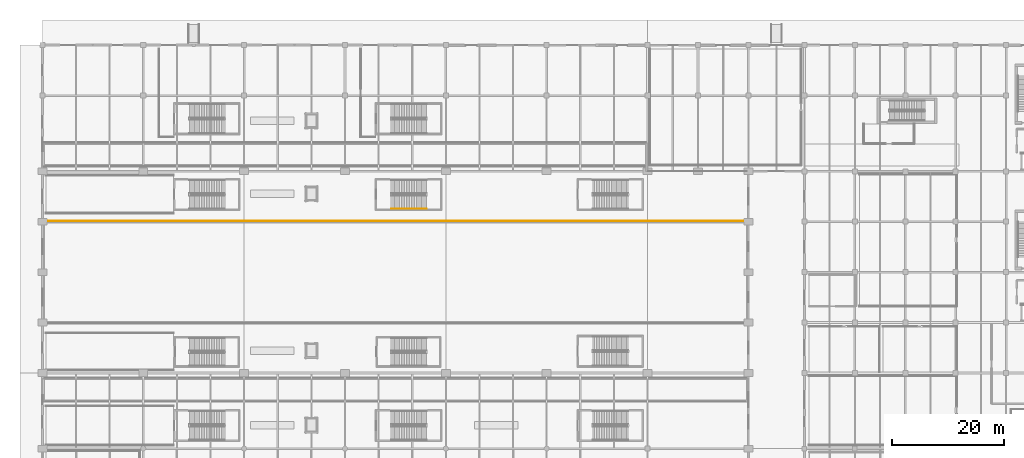
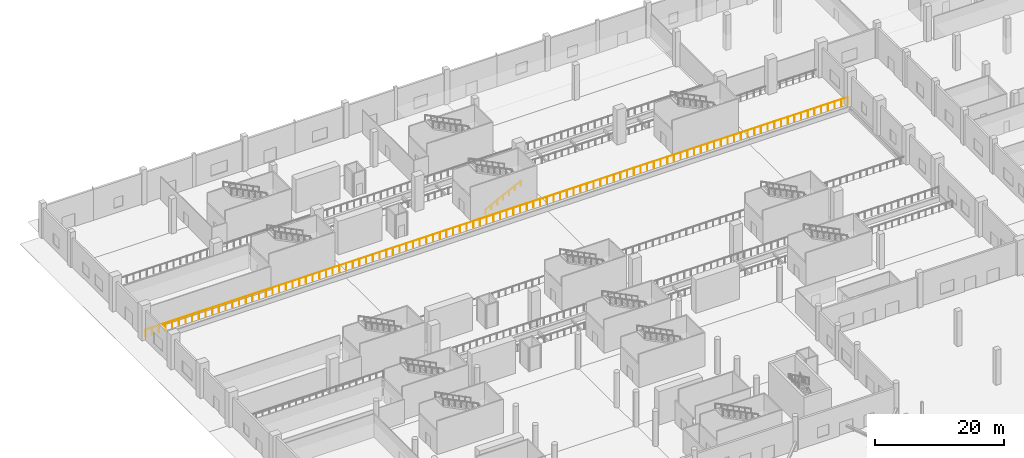
# One storey, part 52 of 65: 2 railings.
"""IFC4 building model written with IfcOpenShell, lengths in metres."""

from ifc_helpers import new_model, si_unit, direction, frame, origin, origin_2d, place, context, subcontext, project, spatial, circle, extrude, material, type_object, element, save


model = new_model("IFC4")

# Units and contexts
model_context = context("Model", 3, precision=1e-05, world=origin(), true_north=direction((0.0, 1.0)))
body_context = subcontext(model_context, "Body", "Model", "MODEL_VIEW")
ifc_project = project(units=[si_unit("LENGTHUNIT", "METRE"), si_unit("AREAUNIT", "SQUARE_METRE"), si_unit("VOLUMEUNIT", "CUBIC_METRE"), si_unit("PLANEANGLEUNIT", "RADIAN"), si_unit("MASSUNIT", "GRAM", prefix="KILO")], contexts=[model_context])

# Site, building, storey
site_placement = place(None, origin())
site = spatial("IfcSite", under=ifc_project, at=site_placement, CompositionType="ELEMENT")
building_placement = place(site_placement, origin())
building = spatial("IfcBuilding", under=site, at=building_placement, Name="Chuanluo Vaults Station", CompositionType="ELEMENT")
storey_placement = place(building_placement, origin())
storey = spatial("IfcBuildingStorey", under=building, at=storey_placement, Name="L00", CompositionType="ELEMENT", Elevation=0.0)

# Railings
ifc_material_1 = material(Name="Brushed stainless steel 304", Category="steel")
railing_type_1 = type_object("IfcRailingType", Name="RLG-HAND-900", PredefinedType="HANDRAIL", material=ifc_material_1)
railing_1_placement = place(storey_placement, frame((62.25, 96.800048828125, 0.14990234375)))
element("IfcRailing", 1, at=railing_1_placement, inside=storey, type_object=railing_type_1, Name="L00 ST-14 stair handrail 1", PredefinedType="HANDRAIL", context=body_context, shape_type="SweptSolid", body=[
    extrude(circle(Radius=0.02392578125, at=origin_2d()), frame((0.0, 0.0, 0.8759765625), z_axis=(0.894420258746, 0.0, 0.44722745974), x_axis=(0.0, 1.0, 0.0)), (0.0, 0.0, 1.0), 7.043701171875),
    extrude(circle(Radius=0.02099609375, at=origin_2d()), origin(), (0.0, 0.0, 1.0), 0.851806640625),
    extrude(circle(Radius=0.02099609375, at=origin_2d()), frame((1.050048828125, 0.0, 0.52490234375)), (0.0, 0.0, 1.0), 0.851806640625),
    extrude(circle(Radius=0.02099609375, at=origin_2d()), frame((2.10009765625, 0.0, 1.050048828125)), (0.0, 0.0, 1.0), 0.851806640625),
    extrude(circle(Radius=0.02099609375, at=origin_2d()), frame((3.14990234375, 0.0, 1.5751953125)), (0.0, 0.0, 1.0), 0.851806640625),
    extrude(circle(Radius=0.02099609375, at=origin_2d()), frame((4.199951171875, 0.0, 2.10009765625)), (0.0, 0.0, 1.0), 0.851806640625),
    extrude(circle(Radius=0.02099609375, at=origin_2d()), frame((5.25, 0.0, 2.625)), (0.0, 0.0, 1.0), 0.851806640625),
    extrude(circle(Radius=0.02099609375, at=origin_2d()), frame((6.300048828125, 0.0, 3.150146484375)), (0.0, 0.0, 1.0), 0.851806640625),
])
ifc_material_2 = material(Name="Tempered laminated balustrade glass", Category="glass")
railing_type_2 = type_object("IfcRailingType", Name="RLG-PLAT-1350", PredefinedType="GUARDRAIL", material=ifc_material_2)
railing_2_placement = place(storey_placement, frame((0.300048828125, 94.64990234375, 0.0)))
element("IfcRailing", 2, at=railing_2_placement, inside=storey, type_object=railing_type_2, Name="Platform edge safety screen balustrade PLAT3-S", PredefinedType="GUARDRAIL", context=body_context, shape_type="SweptSolid", body=[
    extrude(circle(Radius=0.02392578125, at=origin_2d()), frame((0.0, 0.0, 1.326171875), z_axis=(1.0, 0.0, 0.0), x_axis=(0.0, 1.0, 0.0)), (0.0, 0.0, 1.0), 125.39990234375),
    extrude(circle(Radius=0.02099609375, at=origin_2d()), origin(), (0.0, 0.0, 1.0), 1.302001953125),
    extrude(circle(Radius=0.02099609375, at=origin_2d()), frame((1.1943359375, 0.0, 0.0)), (0.0, 0.0, 1.0), 1.302001953125),
    extrude(circle(Radius=0.02099609375, at=origin_2d()), frame((2.388671875, 0.0, 0.0)), (0.0, 0.0, 1.0), 1.302001953125),
    extrude(circle(Radius=0.02099609375, at=origin_2d()), frame((3.582763671875, 0.0, 0.0)), (0.0, 0.0, 1.0), 1.302001953125),
    extrude(circle(Radius=0.02099609375, at=origin_2d()), frame((4.777099609375, 0.0, 0.0)), (0.0, 0.0, 1.0), 1.302001953125),
    extrude(circle(Radius=0.02099609375, at=origin_2d()), frame((5.971435546875, 0.0, 0.0)), (0.0, 0.0, 1.0), 1.302001953125),
    extrude(circle(Radius=0.02099609375, at=origin_2d()), frame((7.165771484375, 0.0, 0.0)), (0.0, 0.0, 1.0), 1.302001953125),
    extrude(circle(Radius=0.02099609375, at=origin_2d()), frame((8.360107421875, 0.0, 0.0)), (0.0, 0.0, 1.0), 1.302001953125),
    extrude(circle(Radius=0.02099609375, at=origin_2d()), frame((9.55419921875, 0.0, 0.0)), (0.0, 0.0, 1.0), 1.302001953125),
    extrude(circle(Radius=0.02099609375, at=origin_2d()), frame((10.74853515625, 0.0, 0.0)), (0.0, 0.0, 1.0), 1.302001953125),
    extrude(circle(Radius=0.02099609375, at=origin_2d()), frame((11.94287109375, 0.0, 0.0)), (0.0, 0.0, 1.0), 1.302001953125),
    extrude(circle(Radius=0.02099609375, at=origin_2d()), frame((13.13720703125, 0.0, 0.0)), (0.0, 0.0, 1.0), 1.302001953125),
    extrude(circle(Radius=0.02099609375, at=origin_2d()), frame((14.331298828125, 0.0, 0.0)), (0.0, 0.0, 1.0), 1.302001953125),
    extrude(circle(Radius=0.02099609375, at=origin_2d()), frame((15.525634765625, 0.0, 0.0)), (0.0, 0.0, 1.0), 1.302001953125),
    extrude(circle(Radius=0.02099609375, at=origin_2d()), frame((16.719970703125, 0.0, 0.0)), (0.0, 0.0, 1.0), 1.302001953125),
    extrude(circle(Radius=0.02099609375, at=origin_2d()), frame((17.914306640625, 0.0, 0.0)), (0.0, 0.0, 1.0), 1.302001953125),
    extrude(circle(Radius=0.02099609375, at=origin_2d()), frame((19.108642578125, 0.0, 0.0)), (0.0, 0.0, 1.0), 1.302001953125),
    extrude(circle(Radius=0.02099609375, at=origin_2d()), frame((20.302734375, 0.0, 0.0)), (0.0, 0.0, 1.0), 1.302001953125),
    extrude(circle(Radius=0.02099609375, at=origin_2d()), frame((21.4970703125, 0.0, 0.0)), (0.0, 0.0, 1.0), 1.302001953125),
    extrude(circle(Radius=0.02099609375, at=origin_2d()), frame((22.69140625, 0.0, 0.0)), (0.0, 0.0, 1.0), 1.302001953125),
    extrude(circle(Radius=0.02099609375, at=origin_2d()), frame((23.8857421875, 0.0, 0.0)), (0.0, 0.0, 1.0), 1.302001953125),
    extrude(circle(Radius=0.02099609375, at=origin_2d()), frame((25.080078125, 0.0, 0.0)), (0.0, 0.0, 1.0), 1.302001953125),
    extrude(circle(Radius=0.02099609375, at=origin_2d()), frame((26.274169921875, 0.0, 0.0)), (0.0, 0.0, 1.0), 1.302001953125),
    extrude(circle(Radius=0.02099609375, at=origin_2d()), frame((27.468505859375, 0.0, 0.0)), (0.0, 0.0, 1.0), 1.302001953125),
    extrude(circle(Radius=0.02099609375, at=origin_2d()), frame((28.662841796875, 0.0, 0.0)), (0.0, 0.0, 1.0), 1.302001953125),
    extrude(circle(Radius=0.02099609375, at=origin_2d()), frame((29.857177734375, 0.0, 0.0)), (0.0, 0.0, 1.0), 1.302001953125),
    extrude(circle(Radius=0.02099609375, at=origin_2d()), frame((31.051513671875, 0.0, 0.0)), (0.0, 0.0, 1.0), 1.302001953125),
    extrude(circle(Radius=0.02099609375, at=origin_2d()), frame((32.24560546875, 0.0, 0.0)), (0.0, 0.0, 1.0), 1.302001953125),
    extrude(circle(Radius=0.02099609375, at=origin_2d()), frame((33.43994140625, 0.0, 0.0)), (0.0, 0.0, 1.0), 1.302001953125),
    extrude(circle(Radius=0.02099609375, at=origin_2d()), frame((34.63427734375, 0.0, 0.0)), (0.0, 0.0, 1.0), 1.302001953125),
    extrude(circle(Radius=0.02099609375, at=origin_2d()), frame((35.82861328125, 0.0, 0.0)), (0.0, 0.0, 1.0), 1.302001953125),
    extrude(circle(Radius=0.02099609375, at=origin_2d()), frame((37.02294921875, 0.0, 0.0)), (0.0, 0.0, 1.0), 1.302001953125),
    extrude(circle(Radius=0.02099609375, at=origin_2d()), frame((38.217041015625, 0.0, 0.0)), (0.0, 0.0, 1.0), 1.302001953125),
    extrude(circle(Radius=0.02099609375, at=origin_2d()), frame((39.411376953125, 0.0, 0.0)), (0.0, 0.0, 1.0), 1.302001953125),
    extrude(circle(Radius=0.02099609375, at=origin_2d()), frame((40.605712890625, 0.0, 0.0)), (0.0, 0.0, 1.0), 1.302001953125),
    extrude(circle(Radius=0.02099609375, at=origin_2d()), frame((41.800048828125, 0.0, 0.0)), (0.0, 0.0, 1.0), 1.302001953125),
    extrude(circle(Radius=0.02099609375, at=origin_2d()), frame((42.994140625, 0.0, 0.0)), (0.0, 0.0, 1.0), 1.302001953125),
    extrude(circle(Radius=0.02099609375, at=origin_2d()), frame((44.1884765625, 0.0, 0.0)), (0.0, 0.0, 1.0), 1.302001953125),
    extrude(circle(Radius=0.02099609375, at=origin_2d()), frame((45.3828125, 0.0, 0.0)), (0.0, 0.0, 1.0), 1.302001953125),
    extrude(circle(Radius=0.02099609375, at=origin_2d()), frame((46.5771484375, 0.0, 0.0)), (0.0, 0.0, 1.0), 1.302001953125),
    extrude(circle(Radius=0.02099609375, at=origin_2d()), frame((47.771484375, 0.0, 0.0)), (0.0, 0.0, 1.0), 1.302001953125),
    extrude(circle(Radius=0.02099609375, at=origin_2d()), frame((48.965576171875, 0.0, 0.0)), (0.0, 0.0, 1.0), 1.302001953125),
    extrude(circle(Radius=0.02099609375, at=origin_2d()), frame((50.159912109375, 0.0, 0.0)), (0.0, 0.0, 1.0), 1.302001953125),
    extrude(circle(Radius=0.02099609375, at=origin_2d()), frame((51.354248046875, 0.0, 0.0)), (0.0, 0.0, 1.0), 1.302001953125),
    extrude(circle(Radius=0.02099609375, at=origin_2d()), frame((52.548583984375, 0.0, 0.0)), (0.0, 0.0, 1.0), 1.302001953125),
    extrude(circle(Radius=0.02099609375, at=origin_2d()), frame((53.742919921875, 0.0, 0.0)), (0.0, 0.0, 1.0), 1.302001953125),
    extrude(circle(Radius=0.02099609375, at=origin_2d()), frame((54.93701171875, 0.0, 0.0)), (0.0, 0.0, 1.0), 1.302001953125),
    extrude(circle(Radius=0.02099609375, at=origin_2d()), frame((56.13134765625, 0.0, 0.0)), (0.0, 0.0, 1.0), 1.302001953125),
    extrude(circle(Radius=0.02099609375, at=origin_2d()), frame((57.32568359375, 0.0, 0.0)), (0.0, 0.0, 1.0), 1.302001953125),
    extrude(circle(Radius=0.02099609375, at=origin_2d()), frame((58.52001953125, 0.0, 0.0)), (0.0, 0.0, 1.0), 1.302001953125),
    extrude(circle(Radius=0.02099609375, at=origin_2d()), frame((59.71435546875, 0.0, 0.0)), (0.0, 0.0, 1.0), 1.302001953125),
    extrude(circle(Radius=0.02099609375, at=origin_2d()), frame((60.908447265625, 0.0, 0.0)), (0.0, 0.0, 1.0), 1.302001953125),
    extrude(circle(Radius=0.02099609375, at=origin_2d()), frame((62.102783203125, 0.0, 0.0)), (0.0, 0.0, 1.0), 1.302001953125),
    extrude(circle(Radius=0.02099609375, at=origin_2d()), frame((63.297119140625, 0.0, 0.0)), (0.0, 0.0, 1.0), 1.302001953125),
    extrude(circle(Radius=0.02099609375, at=origin_2d()), frame((64.491455078125, 0.0, 0.0)), (0.0, 0.0, 1.0), 1.302001953125),
    extrude(circle(Radius=0.02099609375, at=origin_2d()), frame((65.685546875, 0.0, 0.0)), (0.0, 0.0, 1.0), 1.302001953125),
    extrude(circle(Radius=0.02099609375, at=origin_2d()), frame((66.8798828125, 0.0, 0.0)), (0.0, 0.0, 1.0), 1.302001953125),
    extrude(circle(Radius=0.02099609375, at=origin_2d()), frame((68.07421875, 0.0, 0.0)), (0.0, 0.0, 1.0), 1.302001953125),
    extrude(circle(Radius=0.02099609375, at=origin_2d()), frame((69.2685546875, 0.0, 0.0)), (0.0, 0.0, 1.0), 1.302001953125),
    extrude(circle(Radius=0.02099609375, at=origin_2d()), frame((70.462890625, 0.0, 0.0)), (0.0, 0.0, 1.0), 1.302001953125),
    extrude(circle(Radius=0.02099609375, at=origin_2d()), frame((71.656982421875, 0.0, 0.0)), (0.0, 0.0, 1.0), 1.302001953125),
    extrude(circle(Radius=0.02099609375, at=origin_2d()), frame((72.851318359375, 0.0, 0.0)), (0.0, 0.0, 1.0), 1.302001953125),
    extrude(circle(Radius=0.02099609375, at=origin_2d()), frame((74.045654296875, 0.0, 0.0)), (0.0, 0.0, 1.0), 1.302001953125),
    extrude(circle(Radius=0.02099609375, at=origin_2d()), frame((75.239990234375, 0.0, 0.0)), (0.0, 0.0, 1.0), 1.302001953125),
    extrude(circle(Radius=0.02099609375, at=origin_2d()), frame((76.434326171875, 0.0, 0.0)), (0.0, 0.0, 1.0), 1.302001953125),
    extrude(circle(Radius=0.02099609375, at=origin_2d()), frame((77.62841796875, 0.0, 0.0)), (0.0, 0.0, 1.0), 1.302001953125),
    extrude(circle(Radius=0.02099609375, at=origin_2d()), frame((78.82275390625, 0.0, 0.0)), (0.0, 0.0, 1.0), 1.302001953125),
    extrude(circle(Radius=0.02099609375, at=origin_2d()), frame((80.01708984375, 0.0, 0.0)), (0.0, 0.0, 1.0), 1.302001953125),
    extrude(circle(Radius=0.02099609375, at=origin_2d()), frame((81.21142578125, 0.0, 0.0)), (0.0, 0.0, 1.0), 1.302001953125),
    extrude(circle(Radius=0.02099609375, at=origin_2d()), frame((82.40576171875, 0.0, 0.0)), (0.0, 0.0, 1.0), 1.302001953125),
    extrude(circle(Radius=0.02099609375, at=origin_2d()), frame((83.599853515625, 0.0, 0.0)), (0.0, 0.0, 1.0), 1.302001953125),
    extrude(circle(Radius=0.02099609375, at=origin_2d()), frame((84.794189453125, 0.0, 0.0)), (0.0, 0.0, 1.0), 1.302001953125),
    extrude(circle(Radius=0.02099609375, at=origin_2d()), frame((85.988525390625, 0.0, 0.0)), (0.0, 0.0, 1.0), 1.302001953125),
    extrude(circle(Radius=0.02099609375, at=origin_2d()), frame((87.182861328125, 0.0, 0.0)), (0.0, 0.0, 1.0), 1.302001953125),
    extrude(circle(Radius=0.02099609375, at=origin_2d()), frame((88.376953125, 0.0, 0.0)), (0.0, 0.0, 1.0), 1.302001953125),
    extrude(circle(Radius=0.02099609375, at=origin_2d()), frame((89.5712890625, 0.0, 0.0)), (0.0, 0.0, 1.0), 1.302001953125),
    extrude(circle(Radius=0.02099609375, at=origin_2d()), frame((90.765625, 0.0, 0.0)), (0.0, 0.0, 1.0), 1.302001953125),
    extrude(circle(Radius=0.02099609375, at=origin_2d()), frame((91.9599609375, 0.0, 0.0)), (0.0, 0.0, 1.0), 1.302001953125),
    extrude(circle(Radius=0.02099609375, at=origin_2d()), frame((93.154296875, 0.0, 0.0)), (0.0, 0.0, 1.0), 1.302001953125),
    extrude(circle(Radius=0.02099609375, at=origin_2d()), frame((94.348388671875, 0.0, 0.0)), (0.0, 0.0, 1.0), 1.302001953125),
    extrude(circle(Radius=0.02099609375, at=origin_2d()), frame((95.542724609375, 0.0, 0.0)), (0.0, 0.0, 1.0), 1.302001953125),
    extrude(circle(Radius=0.02099609375, at=origin_2d()), frame((96.737060546875, 0.0, 0.0)), (0.0, 0.0, 1.0), 1.302001953125),
    extrude(circle(Radius=0.02099609375, at=origin_2d()), frame((97.931396484375, 0.0, 0.0)), (0.0, 0.0, 1.0), 1.302001953125),
    extrude(circle(Radius=0.02099609375, at=origin_2d()), frame((99.125732421875, 0.0, 0.0)), (0.0, 0.0, 1.0), 1.302001953125),
    extrude(circle(Radius=0.02099609375, at=origin_2d()), frame((100.31982421875, 0.0, 0.0)), (0.0, 0.0, 1.0), 1.302001953125),
    extrude(circle(Radius=0.02099609375, at=origin_2d()), frame((101.51416015625, 0.0, 0.0)), (0.0, 0.0, 1.0), 1.302001953125),
    extrude(circle(Radius=0.02099609375, at=origin_2d()), frame((102.70849609375, 0.0, 0.0)), (0.0, 0.0, 1.0), 1.302001953125),
    extrude(circle(Radius=0.02099609375, at=origin_2d()), frame((103.90283203125, 0.0, 0.0)), (0.0, 0.0, 1.0), 1.302001953125),
    extrude(circle(Radius=0.02099609375, at=origin_2d()), frame((105.09716796875, 0.0, 0.0)), (0.0, 0.0, 1.0), 1.302001953125),
    extrude(circle(Radius=0.02099609375, at=origin_2d()), frame((106.291259765625, 0.0, 0.0)), (0.0, 0.0, 1.0), 1.302001953125),
    extrude(circle(Radius=0.02099609375, at=origin_2d()), frame((107.485595703125, 0.0, 0.0)), (0.0, 0.0, 1.0), 1.302001953125),
    extrude(circle(Radius=0.02099609375, at=origin_2d()), frame((108.679931640625, 0.0, 0.0)), (0.0, 0.0, 1.0), 1.302001953125),
    extrude(circle(Radius=0.02099609375, at=origin_2d()), frame((109.874267578125, 0.0, 0.0)), (0.0, 0.0, 1.0), 1.302001953125),
    extrude(circle(Radius=0.02099609375, at=origin_2d()), frame((111.068603515625, 0.0, 0.0)), (0.0, 0.0, 1.0), 1.302001953125),
    extrude(circle(Radius=0.02099609375, at=origin_2d()), frame((112.2626953125, 0.0, 0.0)), (0.0, 0.0, 1.0), 1.302001953125),
    extrude(circle(Radius=0.02099609375, at=origin_2d()), frame((113.45703125, 0.0, 0.0)), (0.0, 0.0, 1.0), 1.302001953125),
    extrude(circle(Radius=0.02099609375, at=origin_2d()), frame((114.6513671875, 0.0, 0.0)), (0.0, 0.0, 1.0), 1.302001953125),
    extrude(circle(Radius=0.02099609375, at=origin_2d()), frame((115.845703125, 0.0, 0.0)), (0.0, 0.0, 1.0), 1.302001953125),
    extrude(circle(Radius=0.02099609375, at=origin_2d()), frame((117.039794921875, 0.0, 0.0)), (0.0, 0.0, 1.0), 1.302001953125),
    extrude(circle(Radius=0.02099609375, at=origin_2d()), frame((118.234130859375, 0.0, 0.0)), (0.0, 0.0, 1.0), 1.302001953125),
    extrude(circle(Radius=0.02099609375, at=origin_2d()), frame((119.428466796875, 0.0, 0.0)), (0.0, 0.0, 1.0), 1.302001953125),
    extrude(circle(Radius=0.02099609375, at=origin_2d()), frame((120.622802734375, 0.0, 0.0)), (0.0, 0.0, 1.0), 1.302001953125),
    extrude(circle(Radius=0.02099609375, at=origin_2d()), frame((121.817138671875, 0.0, 0.0)), (0.0, 0.0, 1.0), 1.302001953125),
    extrude(circle(Radius=0.02099609375, at=origin_2d()), frame((123.01123046875, 0.0, 0.0)), (0.0, 0.0, 1.0), 1.302001953125),
    extrude(circle(Radius=0.02099609375, at=origin_2d()), frame((124.20556640625, 0.0, 0.0)), (0.0, 0.0, 1.0), 1.302001953125),
    extrude(circle(Radius=0.02099609375, at=origin_2d()), frame((125.39990234375, 0.0, 0.0)), (0.0, 0.0, 1.0), 1.302001953125),
])

save(model, "model.ifc")
